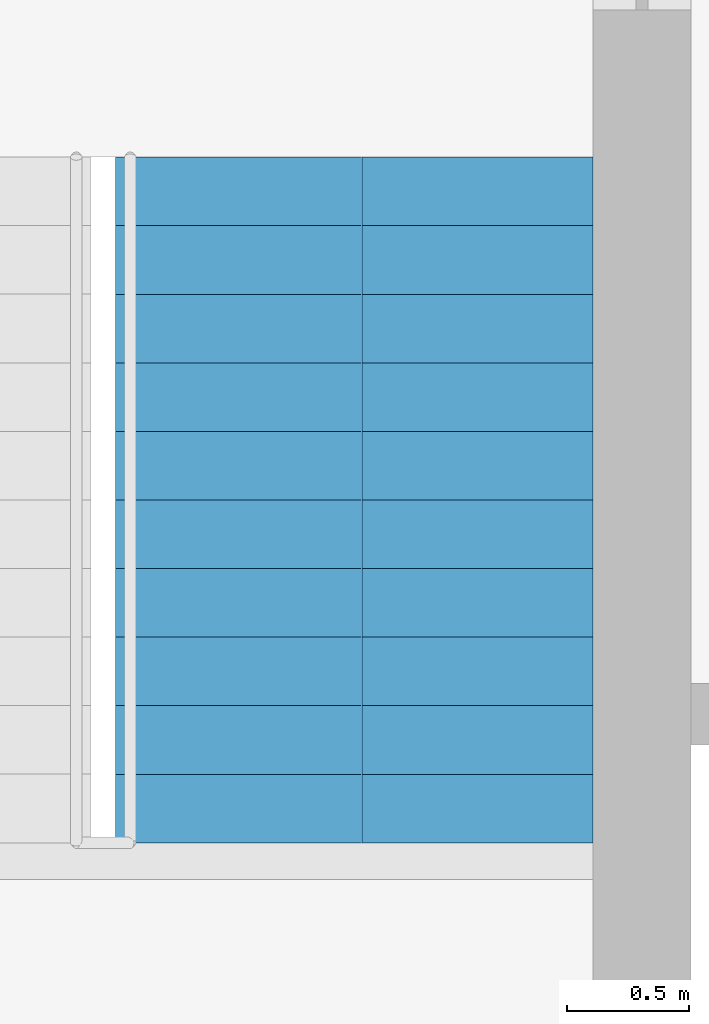
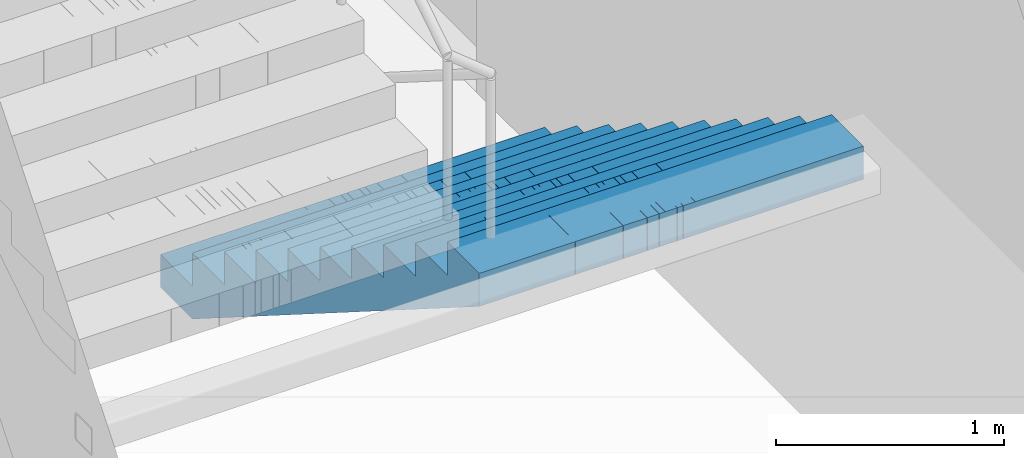
# One storey, part 19 of 20: 1 stair flight, 1 element without a shape of its own.
"""IFC4 building model written with IfcOpenShell, lengths in metres."""

from ifc_helpers import new_model, si_unit, direction, frame, origin, place, context, subcontext, project, spatial, polyline, outline, extrude, material, type_object, element, aggregate, save


model = new_model("IFC4")

# Units and contexts
model_context = context("Model", 3, precision=1e-05, world=origin(), true_north=direction((0.0, 1.0)))
body_context = subcontext(model_context, "Body", "Model", "MODEL_VIEW")
ifc_project = project(units=[si_unit("LENGTHUNIT", "METRE"), si_unit("AREAUNIT", "SQUARE_METRE"), si_unit("VOLUMEUNIT", "CUBIC_METRE"), si_unit("PLANEANGLEUNIT", "RADIAN"), si_unit("MASSUNIT", "GRAM", prefix="KILO")], contexts=[model_context])

# Site, building, storey
site_placement = place(None, origin())
site = spatial("IfcSite", under=ifc_project, at=site_placement, CompositionType="ELEMENT")
building_placement = place(site_placement, origin())
building = spatial("IfcBuilding", under=site, at=building_placement, Name="Mizan Broadcast Tower", CompositionType="ELEMENT")
storey_placement = place(building_placement, frame((0.0, 0.0, 171.0)))
storey = spatial("IfcBuildingStorey", under=building, at=storey_placement, Name="L39", CompositionType="ELEMENT", Elevation=171.0)

# Stair, stair flight
ifc_material_1 = material(Name="Concrete C40/50", Category="concrete")
stair_type = type_object("IfcStairType", Name="EXIT STAIR", PredefinedType="HALF_TURN_STAIR", material=ifc_material_1)
stair_placement = place(storey_placement, origin())
stair = element("IfcStair", 1, at=stair_placement, inside=storey, type_object=stair_type, Name="Stair B L39", PredefinedType="HALF_TURN_STAIR")
ifc_material_2 = material(Name="Concrete C40/50", Category="concrete")
stair_flight_type = type_object("IfcStairFlightType", Name="EXIT STAIR FLIGHT", PredefinedType="STRAIGHT", material=ifc_material_2)
stair_flight_placement = place(storey_placement, frame((1.02490234375, 7.89990234375, 0.0), z_axis=(0.0, 0.0, 1.0), x_axis=(0.0, -1.0, 0.0)))
stair_flight = element("IfcStairFlight", 2, at=stair_flight_placement, type_object=stair_flight_type, Name="B flight 1", NumberOfRisers=11, NumberOfTreads=10, PredefinedType="STRAIGHT", RiserHeight=0.177272727, TreadLength=0.28, context=body_context, shape_type="SweptSolid", body=[
    extrude(outline(polyline([(0.0, 0.0), (0.0, 0.17724609375), (0.280029296875, 0.17724609375), (0.280029296875, 0.3544921875), (0.56005859375, 0.3544921875), (0.56005859375, 0.53173828125), (0.840087890625, 0.53173828125), (0.840087890625, 0.708984375), (1.1201171875, 0.708984375), (1.1201171875, 0.886474609375), (1.39990234375, 0.886474609375), (1.39990234375, 1.063720703125), (1.679931640625, 1.063720703125), (1.679931640625, 1.240966796875), (1.9599609375, 1.240966796875), (1.9599609375, 1.418212890625), (2.239990234375, 1.418212890625), (2.239990234375, 1.595458984375), (2.52001953125, 1.595458984375), (2.52001953125, 1.772705078125), (2.800048828125, 1.772705078125), (2.800048828125, 1.949951171875), (2.800048828125, 1.59521484375), (0.2802734375, 0.0), (0.0, 0.0)])), frame((0.0, 0.97509765625, 0.0), z_axis=(0.0, -1.0, 0.0), x_axis=(1.0, 0.0, 0.0)), (0.0, 0.0, 1.0), 0.4873046875),
    extrude(outline(polyline([(0.0, 0.0), (0.0, 0.17724609375), (0.280029296875, 0.17724609375), (0.280029296875, 0.3544921875), (0.56005859375, 0.3544921875), (0.56005859375, 0.53173828125), (0.840087890625, 0.53173828125), (0.840087890625, 0.708984375), (1.1201171875, 0.708984375), (1.1201171875, 0.886474609375), (1.39990234375, 0.886474609375), (1.39990234375, 1.063720703125), (1.679931640625, 1.063720703125), (1.679931640625, 1.240966796875), (1.9599609375, 1.240966796875), (1.9599609375, 1.418212890625), (2.239990234375, 1.418212890625), (2.239990234375, 1.595458984375), (2.52001953125, 1.595458984375), (2.52001953125, 1.772705078125), (2.800048828125, 1.772705078125), (2.800048828125, 1.949951171875), (2.800048828125, 1.59521484375), (0.2802734375, 0.0), (0.0, 0.0)])), frame((0.0, 0.4873046875, 0.0), z_axis=(0.0, -1.0, 0.0), x_axis=(1.0, 0.0, 0.0)), (0.0, 0.0, 1.0), 0.2431640625),
    extrude(outline(polyline([(0.0, 0.0), (0.0, 0.17724609375), (0.280029296875, 0.17724609375), (0.280029296875, 0.3544921875), (0.56005859375, 0.3544921875), (0.56005859375, 0.53173828125), (0.840087890625, 0.53173828125), (0.840087890625, 0.708984375), (1.1201171875, 0.708984375), (1.1201171875, 0.886474609375), (1.39990234375, 0.886474609375), (1.39990234375, 1.063720703125), (1.679931640625, 1.063720703125), (1.679931640625, 1.240966796875), (1.9599609375, 1.240966796875), (1.9599609375, 1.418212890625), (2.239990234375, 1.418212890625), (2.239990234375, 1.595458984375), (2.52001953125, 1.595458984375), (2.52001953125, 1.772705078125), (2.800048828125, 1.772705078125), (2.800048828125, 1.949951171875), (2.800048828125, 1.59521484375), (0.2802734375, 0.0), (0.0, 0.0)])), frame((0.0, 0.24365234375, 0.0), z_axis=(0.0, -1.0, 0.0), x_axis=(1.0, 0.0, 0.0)), (0.0, 0.0, 1.0), 0.121337890625),
    extrude(outline(polyline([(0.0, 0.0), (0.0, 0.17724609375), (0.280029296875, 0.17724609375), (0.280029296875, 0.3544921875), (0.56005859375, 0.3544921875), (0.56005859375, 0.53173828125), (0.840087890625, 0.53173828125), (0.840087890625, 0.708984375), (1.1201171875, 0.708984375), (1.1201171875, 0.886474609375), (1.39990234375, 0.886474609375), (1.39990234375, 1.063720703125), (1.679931640625, 1.063720703125), (1.679931640625, 1.240966796875), (1.9599609375, 1.240966796875), (1.9599609375, 1.418212890625), (2.239990234375, 1.418212890625), (2.239990234375, 1.595458984375), (2.52001953125, 1.595458984375), (2.52001953125, 1.772705078125), (2.800048828125, 1.772705078125), (2.800048828125, 1.949951171875), (2.800048828125, 1.59521484375), (0.2802734375, 0.0), (0.0, 0.0)])), frame((0.0, 0.121826171875, 0.0), z_axis=(0.0, -1.0, 0.0), x_axis=(1.0, 0.0, 0.0)), (0.0, 0.0, 1.0), 0.060546875),
    extrude(outline(polyline([(0.0, 0.0), (0.0, 0.17724609375), (0.280029296875, 0.17724609375), (0.280029296875, 0.3544921875), (0.56005859375, 0.3544921875), (0.56005859375, 0.53173828125), (0.840087890625, 0.53173828125), (0.840087890625, 0.708984375), (1.1201171875, 0.708984375), (1.1201171875, 0.886474609375), (1.39990234375, 0.886474609375), (1.39990234375, 1.063720703125), (1.679931640625, 1.063720703125), (1.679931640625, 1.240966796875), (1.9599609375, 1.240966796875), (1.9599609375, 1.418212890625), (2.239990234375, 1.418212890625), (2.239990234375, 1.595458984375), (2.52001953125, 1.595458984375), (2.52001953125, 1.772705078125), (2.800048828125, 1.772705078125), (2.800048828125, 1.949951171875), (2.800048828125, 1.59521484375), (0.2802734375, 0.0), (0.0, 0.0)])), frame((0.0, 0.060791015625, 0.0), z_axis=(0.0, -1.0, 0.0), x_axis=(1.0, 0.0, 0.0)), (0.0, 0.0, 1.0), 0.030029296875),
    extrude(outline(polyline([(0.0, 0.0), (0.0, 0.17724609375), (0.280029296875, 0.17724609375), (0.280029296875, 0.3544921875), (0.56005859375, 0.3544921875), (0.56005859375, 0.53173828125), (0.840087890625, 0.53173828125), (0.840087890625, 0.708984375), (1.1201171875, 0.708984375), (1.1201171875, 0.886474609375), (1.39990234375, 0.886474609375), (1.39990234375, 1.063720703125), (1.679931640625, 1.063720703125), (1.679931640625, 1.240966796875), (1.9599609375, 1.240966796875), (1.9599609375, 1.418212890625), (2.239990234375, 1.418212890625), (2.239990234375, 1.595458984375), (2.52001953125, 1.595458984375), (2.52001953125, 1.772705078125), (2.800048828125, 1.772705078125), (2.800048828125, 1.949951171875), (2.800048828125, 1.59521484375), (0.2802734375, 0.0), (0.0, 0.0)])), frame((0.0, 0.0302734375, 0.0), z_axis=(0.0, -1.0, 0.0), x_axis=(1.0, 0.0, 0.0)), (0.0, 0.0, 1.0), 0.060302734375),
    extrude(outline(polyline([(0.0, 0.0), (0.0, 0.17724609375), (0.280029296875, 0.17724609375), (0.280029296875, 0.3544921875), (0.56005859375, 0.3544921875), (0.56005859375, 0.53173828125), (0.840087890625, 0.53173828125), (0.840087890625, 0.708984375), (1.1201171875, 0.708984375), (1.1201171875, 0.886474609375), (1.39990234375, 0.886474609375), (1.39990234375, 1.063720703125), (1.679931640625, 1.063720703125), (1.679931640625, 1.240966796875), (1.9599609375, 1.240966796875), (1.9599609375, 1.418212890625), (2.239990234375, 1.418212890625), (2.239990234375, 1.595458984375), (2.52001953125, 1.595458984375), (2.52001953125, 1.772705078125), (2.800048828125, 1.772705078125), (2.800048828125, 1.949951171875), (2.800048828125, 1.59521484375), (0.2802734375, 0.0), (0.0, 0.0)])), frame((0.0, -0.030517578125, 0.0), z_axis=(0.0, -1.0, 0.0), x_axis=(1.0, 0.0, 0.0)), (0.0, 0.0, 1.0), 0.030029296875),
    extrude(outline(polyline([(0.0, 0.0), (0.0, 0.17724609375), (0.280029296875, 0.17724609375), (0.280029296875, 0.3544921875), (0.56005859375, 0.3544921875), (0.56005859375, 0.53173828125), (0.840087890625, 0.53173828125), (0.840087890625, 0.708984375), (1.1201171875, 0.708984375), (1.1201171875, 0.886474609375), (1.39990234375, 0.886474609375), (1.39990234375, 1.063720703125), (1.679931640625, 1.063720703125), (1.679931640625, 1.240966796875), (1.9599609375, 1.240966796875), (1.9599609375, 1.418212890625), (2.239990234375, 1.418212890625), (2.239990234375, 1.595458984375), (2.52001953125, 1.595458984375), (2.52001953125, 1.772705078125), (2.800048828125, 1.772705078125), (2.800048828125, 1.949951171875), (2.800048828125, 1.59521484375), (0.2802734375, 0.0), (0.0, 0.0)])), frame((0.0, -0.06103515625, 0.0), z_axis=(0.0, -1.0, 0.0), x_axis=(1.0, 0.0, 0.0)), (0.0, 0.0, 1.0), 0.060546875),
    extrude(outline(polyline([(0.0, 0.0), (0.0, 0.17724609375), (0.280029296875, 0.17724609375), (0.280029296875, 0.3544921875), (0.56005859375, 0.3544921875), (0.56005859375, 0.53173828125), (0.840087890625, 0.53173828125), (0.840087890625, 0.708984375), (1.1201171875, 0.708984375), (1.1201171875, 0.886474609375), (1.39990234375, 0.886474609375), (1.39990234375, 1.063720703125), (1.679931640625, 1.063720703125), (1.679931640625, 1.240966796875), (1.9599609375, 1.240966796875), (1.9599609375, 1.418212890625), (2.239990234375, 1.418212890625), (2.239990234375, 1.595458984375), (2.52001953125, 1.595458984375), (2.52001953125, 1.772705078125), (2.800048828125, 1.772705078125), (2.800048828125, 1.949951171875), (2.800048828125, 1.59521484375), (0.2802734375, 0.0), (0.0, 0.0)])), frame((0.0, -0.1220703125, 0.0), z_axis=(0.0, -1.0, 0.0), x_axis=(1.0, 0.0, 0.0)), (0.0, 0.0, 1.0), 0.121337890625),
    extrude(outline(polyline([(0.0, 0.0), (0.0, 0.17724609375), (0.280029296875, 0.17724609375), (0.280029296875, 0.3544921875), (0.56005859375, 0.3544921875), (0.56005859375, 0.53173828125), (0.840087890625, 0.53173828125), (0.840087890625, 0.708984375), (1.1201171875, 0.708984375), (1.1201171875, 0.886474609375), (1.39990234375, 0.886474609375), (1.39990234375, 1.063720703125), (1.679931640625, 1.063720703125), (1.679931640625, 1.240966796875), (1.9599609375, 1.240966796875), (1.9599609375, 1.418212890625), (2.239990234375, 1.418212890625), (2.239990234375, 1.595458984375), (2.52001953125, 1.595458984375), (2.52001953125, 1.772705078125), (2.800048828125, 1.772705078125), (2.800048828125, 1.949951171875), (2.800048828125, 1.59521484375), (0.2802734375, 0.0), (0.0, 0.0)])), frame((0.0, -0.243896484375, 0.0), z_axis=(0.0, -1.0, 0.0), x_axis=(1.0, 0.0, 0.0)), (0.0, 0.0, 1.0), 0.2431640625),
    extrude(outline(polyline([(0.0, 0.0), (0.0, 0.17724609375), (0.280029296875, 0.17724609375), (0.280029296875, 0.3544921875), (0.56005859375, 0.3544921875), (0.56005859375, 0.53173828125), (0.840087890625, 0.53173828125), (0.840087890625, 0.708984375), (1.1201171875, 0.708984375), (1.1201171875, 0.886474609375), (1.39990234375, 0.886474609375), (1.39990234375, 1.063720703125), (1.679931640625, 1.063720703125), (1.679931640625, 1.240966796875), (1.9599609375, 1.240966796875), (1.9599609375, 1.418212890625), (2.239990234375, 1.418212890625), (2.239990234375, 1.595458984375), (2.52001953125, 1.595458984375), (2.52001953125, 1.772705078125), (2.800048828125, 1.772705078125), (2.800048828125, 1.949951171875), (2.800048828125, 1.59521484375), (0.2802734375, 0.0), (0.0, 0.0)])), frame((0.0, -0.487548828125, 0.0), z_axis=(0.0, -1.0, 0.0), x_axis=(1.0, 0.0, 0.0)), (0.0, 0.0, 1.0), 0.4873046875),
])
aggregate(stair, [stair_flight])

save(model, "model.ifc")
